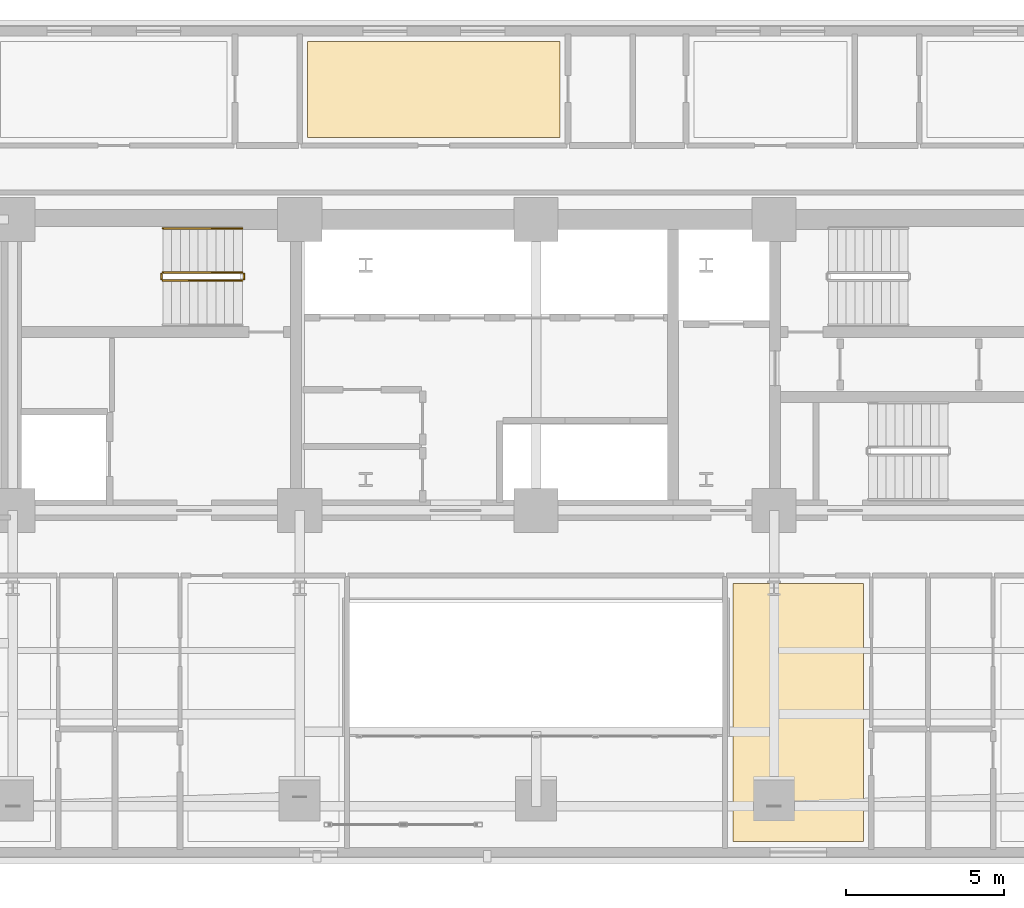
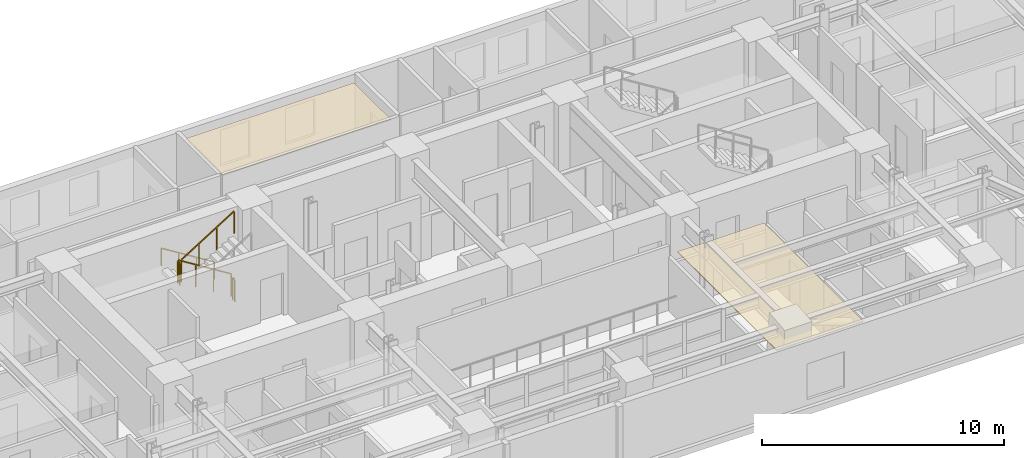
# One storey, part 15 of 16: 5 railings, 2 coverings.
"""IFC4 building model written with IfcOpenShell, lengths in metres."""

from ifc_helpers import new_model, si_unit, direction, frame, origin, origin_2d, place, context, subcontext, project, spatial, polyline, rectangle, outline, extrude, material, layer, layer_set, type_object, element, save


model = new_model("IFC4")

# Units and contexts
model_context = context("Model", 3, precision=1e-05, world=origin(), true_north=direction((0.0, 1.0)))
body_context = subcontext(model_context, "Body", "Model", "MODEL_VIEW")
ifc_project = project(units=[si_unit("LENGTHUNIT", "METRE"), si_unit("AREAUNIT", "SQUARE_METRE"), si_unit("VOLUMEUNIT", "CUBIC_METRE"), si_unit("PLANEANGLEUNIT", "RADIAN"), si_unit("MASSUNIT", "GRAM", prefix="KILO")], contexts=[model_context])

# Site, building, storey
site_placement = place(None, origin())
site = spatial("IfcSite", under=ifc_project, at=site_placement, CompositionType="ELEMENT")
building_placement = place(site_placement, origin())
building = spatial("IfcBuilding", under=site, at=building_placement, Name="Zarnavel Station Tower", CompositionType="ELEMENT")
storey_placement = place(building_placement, frame((0.0, 0.0, 82.800048828125)))
storey = spatial("IfcBuildingStorey", under=building, at=storey_placement, Name="L22", CompositionType="ELEMENT", Elevation=82.800048828125)

# Coverings
ifc_material_1 = material(Name="Perforated Gypsum and Mineral-Wool Acoustic Ceiling", Category="concrete")
ifc_layer = layer(ifc_material_1, 0.0400390625)
ifc_layer_set = layer_set([ifc_layer], Name="COV_CEIL_ACOUSTIC")
covering_type = type_object("IfcCoveringType", Name="COV_CEIL_ACOUSTIC", PredefinedType="CEILING", material=ifc_layer_set)
covering_1_placement = place(storey_placement, frame((0.0, 0.0, 2.919921875)))
element("IfcCovering", 1, at=covering_1_placement, inside=storey, type_object=covering_type, Name="L22 HN2R Acoustic Ceiling", PredefinedType="CEILING", context=body_context, shape_type="SweptSolid", body=[
    extrude(outline(polyline([(21.550048828125, 39.64990234375), (29.56494140625, 39.64990234375), (29.56494140625, 42.68994140625), (21.550048828125, 42.68994140625), (21.550048828125, 39.64990234375)])), origin(), (0.0, 0.0, 1.0), 0.0400390625),
])
covering_2_placement = place(storey_placement, frame((0.0, 0.0, 2.919921875)))
element("IfcCovering", 2, at=covering_2_placement, inside=storey, type_object=covering_type, Name="L22 HE1R Acoustic Ceiling", PredefinedType="CEILING", context=body_context, shape_type="SweptSolid", body=[
    extrude(outline(polyline([(35.050048828125, 17.31005859375), (39.18701171875, 17.31005859375), (39.18701171875, 25.5), (35.050048828125, 25.5), (35.050048828125, 17.31005859375)])), origin(), (0.0, 0.0, 1.0), 0.0400390625),
])

# Railings
ifc_material_2 = material(Name="Painted Steel S355J2 Balustrade", Category="steel")
railing_type_1 = type_object("IfcRailingType", Name="GR_INT_1150", PredefinedType="GUARDRAIL", material=ifc_material_2)
railing_1_placement = place(storey_placement, frame((19.47998046875, 35.3701171875, 0.175048828125)))
element("IfcRailing", 3, at=railing_1_placement, inside=storey, type_object=railing_type_1, Name="L22 ST1 stair guard 1", PredefinedType="GUARDRAIL", context=body_context, shape_type="SweptSolid", body=[
    extrude(rectangle(XDim=0.048095703125, YDim=0.048095703125, at=origin_2d()), frame((-0.001708984375, 0.0, 1.126953125), z_axis=(-0.848007534815, 0.0, 0.529984170421), x_axis=(0.0, -1.0, 0.0)), (0.0, 0.0, 1.0), 2.9677734375),
    extrude(rectangle(XDim=0.0419921875, YDim=0.0419921875, at=origin_2d()), origin(), (0.0, 0.0, 1.0), 1.101806640625),
    extrude(rectangle(XDim=0.0419921875, YDim=0.0419921875, at=origin_2d()), frame((-0.840087890625, 0.0, 0.52490234375)), (0.0, 0.0, 1.0), 1.101806640625),
    extrude(rectangle(XDim=0.0419921875, YDim=0.0419921875, at=origin_2d()), frame((-1.679931640625, 0.0, 1.050048828125)), (0.0, 0.0, 1.0), 1.101806640625),
    extrude(rectangle(XDim=0.0419921875, YDim=0.0419921875, at=origin_2d()), frame((-2.52001953125, 0.0, 1.574951171875)), (0.0, 0.0, 1.0), 1.101806640625),
])
railing_2_placement = place(storey_placement, frame((16.909912109375, 35.320068359375, 1.75)))
element("IfcRailing", 4, at=railing_2_placement, inside=storey, type_object=railing_type_1, Name="L22 ST1 stair guard 2", PredefinedType="GUARDRAIL", context=body_context, shape_type="SweptSolid", body=[
    extrude(rectangle(XDim=0.048095703125, YDim=0.048095703125, at=origin_2d()), frame((0.0, -0.001953125, 1.1259765625), z_axis=(0.0, -1.0, 0.0), x_axis=(1.0, 0.0, 0.0)), (0.0, 0.0, 1.0), 0.15625),
    extrude(rectangle(XDim=0.0419921875, YDim=0.0419921875, at=origin_2d()), origin(), (0.0, 0.0, 1.0), 1.101806640625),
    extrude(rectangle(XDim=0.0419921875, YDim=0.0419921875, at=origin_2d()), frame((0.0, -0.16015625, 0.0)), (0.0, 0.0, 1.0), 1.101806640625),
])
railing_3_placement = place(storey_placement, frame((16.9599609375, 35.110107421875, 1.925048828125)))
element("IfcRailing", 5, at=railing_3_placement, inside=storey, type_object=railing_type_1, Name="L22 ST1 stair guard 3", PredefinedType="GUARDRAIL", context=body_context, shape_type="SweptSolid", body=[
    extrude(rectangle(XDim=0.048095703125, YDim=0.048095703125, at=origin_2d()), frame((0.001708984375, 0.0, 1.126953125), z_axis=(0.848007534815, 0.0, 0.529984170421), x_axis=(0.0, 1.0, 0.0)), (0.0, 0.0, 1.0), 2.9677734375),
    extrude(rectangle(XDim=0.0419921875, YDim=0.0419921875, at=origin_2d()), origin(), (0.0, 0.0, 1.0), 1.101806640625),
    extrude(rectangle(XDim=0.0419921875, YDim=0.0419921875, at=origin_2d()), frame((0.840087890625, 0.0, 0.52490234375)), (0.0, 0.0, 1.0), 1.101806640625),
    extrude(rectangle(XDim=0.0419921875, YDim=0.0419921875, at=origin_2d()), frame((1.679931640625, 0.0, 1.050048828125)), (0.0, 0.0, 1.0), 1.101806640625),
    extrude(rectangle(XDim=0.0419921875, YDim=0.0419921875, at=origin_2d()), frame((2.52001953125, 0.0, 1.574951171875)), (0.0, 0.0, 1.0), 1.101806640625),
])
railing_4_placement = place(storey_placement, frame((19.530029296875, 35.320068359375, 0.0)))
element("IfcRailing", 6, at=railing_4_placement, inside=storey, type_object=railing_type_1, Name="L22 ST1 stair guard 4", PredefinedType="GUARDRAIL", context=body_context, shape_type="SweptSolid", body=[
    extrude(rectangle(XDim=0.048095703125, YDim=0.048095703125, at=origin_2d()), frame((0.0, -0.001953125, 1.1259765625), z_axis=(0.0, -1.0, 0.0), x_axis=(1.0, 0.0, 0.0)), (0.0, 0.0, 1.0), 0.15625),
    extrude(rectangle(XDim=0.0419921875, YDim=0.0419921875, at=origin_2d()), origin(), (0.0, 0.0, 1.0), 1.101806640625),
    extrude(rectangle(XDim=0.0419921875, YDim=0.0419921875, at=origin_2d()), frame((0.0, -0.16015625, 0.0)), (0.0, 0.0, 1.0), 1.101806640625),
])
ifc_material_3 = material(Name="Brushed Stainless Steel S355J2 Handrail", Category="steel")
railing_type_2 = type_object("IfcRailingType", Name="HR_STAIR_900", PredefinedType="HANDRAIL", material=ifc_material_3)
railing_5_placement = place(storey_placement, frame((19.47998046875, 36.77001953125, 0.175048828125)))
element("IfcRailing", 7, at=railing_5_placement, inside=storey, type_object=railing_type_2, Name="L22 ST1 stair handrail 1", PredefinedType="HANDRAIL", context=body_context, shape_type="SweptSolid", body=[
    extrude(rectangle(XDim=0.048095703125, YDim=0.048095703125, at=origin_2d()), frame((-0.001708984375, 0.0, 0.876953125), z_axis=(-0.848007534815, 0.0, 0.529984170421), x_axis=(0.0, -1.0, 0.0)), (0.0, 0.0, 1.0), 2.9677734375),
    extrude(rectangle(XDim=0.0419921875, YDim=0.0419921875, at=origin_2d()), origin(), (0.0, 0.0, 1.0), 0.851806640625),
    extrude(rectangle(XDim=0.0419921875, YDim=0.0419921875, at=origin_2d()), frame((-0.840087890625, 0.0, 0.52490234375)), (0.0, 0.0, 1.0), 0.851806640625),
    extrude(rectangle(XDim=0.0419921875, YDim=0.0419921875, at=origin_2d()), frame((-1.679931640625, 0.0, 1.050048828125)), (0.0, 0.0, 1.0), 0.851806640625),
    extrude(rectangle(XDim=0.0419921875, YDim=0.0419921875, at=origin_2d()), frame((-2.52001953125, 0.0, 1.574951171875)), (0.0, 0.0, 1.0), 0.851806640625),
])

save(model, "model.ifc")
